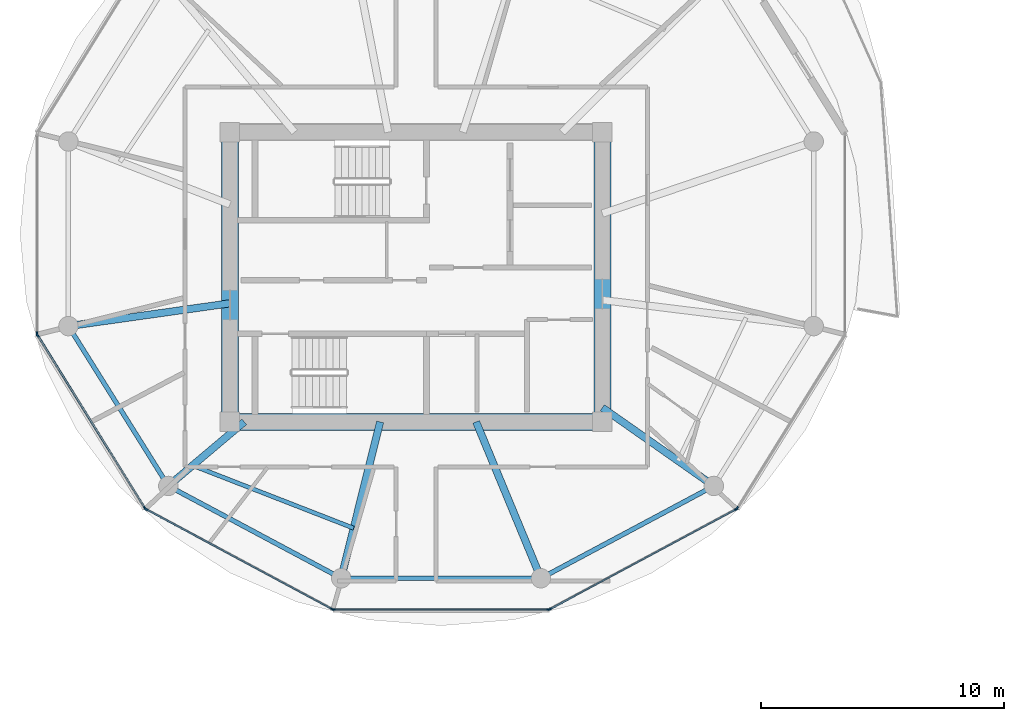
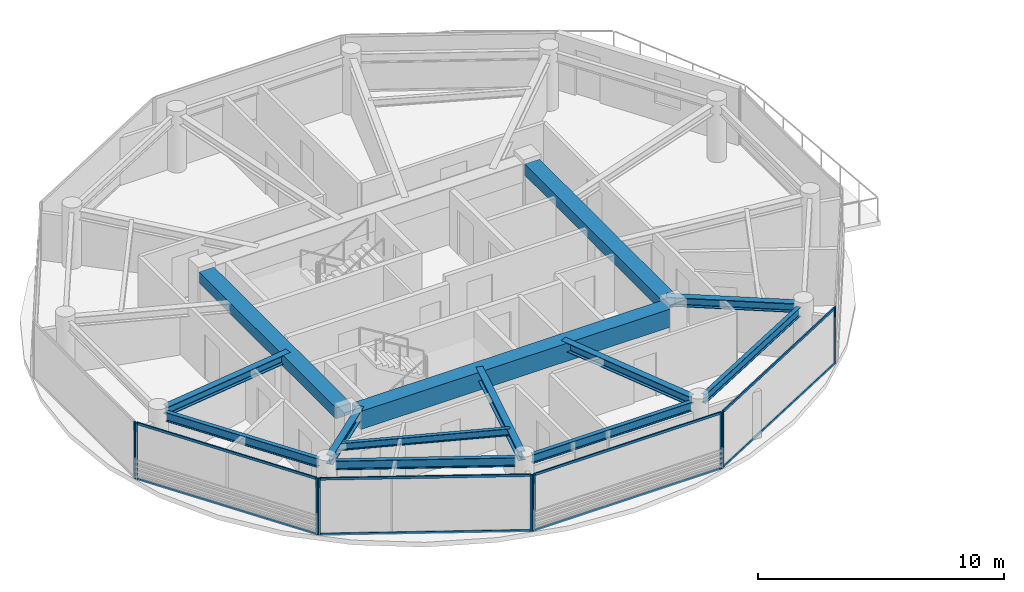
# One storey, part 2 of 22: 18 members, 13 beams, 6 elements without a shape of their own.
"""IFC4 building model written with IfcOpenShell, lengths in metres."""

from ifc_helpers import new_model, si_unit, direction, frame, origin, origin_2d, place, context, subcontext, project, spatial, rectangle, i_section, extrude, source, transform, mapped, material, layer, layer_set, material_profile, profile_set, type_object, type_shapes, element, aggregate, save


model = new_model("IFC4")

# Units and contexts
model_context = context("Model", 3, precision=1e-05, world=origin(), true_north=direction((0.0, 1.0)))
body_context = subcontext(model_context, "Body", "Model", "MODEL_VIEW")
ifc_project = project(units=[si_unit("LENGTHUNIT", "METRE"), si_unit("AREAUNIT", "SQUARE_METRE"), si_unit("VOLUMEUNIT", "CUBIC_METRE"), si_unit("PLANEANGLEUNIT", "RADIAN"), si_unit("MASSUNIT", "GRAM", prefix="KILO")], contexts=[model_context])

# Site, building, storey
site_placement = place(None, origin())
site = spatial("IfcSite", under=ifc_project, at=site_placement, CompositionType="ELEMENT")
building_placement = place(site_placement, origin())
building = spatial("IfcBuilding", under=site, at=building_placement, Name="Norrkilde Senior Care Towers", CompositionType="ELEMENT")
storey_placement = place(building_placement, frame((0.0, 0.0, 137.35009765625)))
storey = spatial("IfcBuildingStorey", under=building, at=storey_placement, Name="L42", CompositionType="ELEMENT", Elevation=137.35009765625)

# Beams
ifc_material_1 = material(Name="Concrete C60/75", Category="concrete")
ifc_material_profile_1 = material_profile(ifc_material_1, rectangle(XDim=0.699951171875, YDim=0.89990234375, at=origin_2d()), Name="RC BM 700x900")
ifc_profile_set_1 = profile_set([ifc_material_profile_1], Name="Concrete C60/75")
beam_type_1 = type_object("IfcBeamType", Name="Core Coupling Girder 700x900", PredefinedType="USERDEFINED", material=ifc_profile_set_1)
shared_shape_1 = source(origin(), body_context, "Body", "SweptSolid", [
    extrude(rectangle(XDim=0.699951171875, YDim=0.89990234375, at=origin_2d()), origin(), (0.0, 0.0, 1.0), 14.5400390625),
])
type_shapes(beam_type_1, [shared_shape_1])
beam_1_placement = place(storey_placement, frame((-35.27001953125, -5.949951171875, 2.35986328125), z_axis=(1.0, 0.0, 0.0), x_axis=(0.0, 1.0, 0.0)))
element("IfcBeam", 1, at=beam_1_placement, inside=storey, type_object=beam_type_1, Name="L42 Core W S Coupling Girder", ObjectType="GIRDER", PredefinedType="USERDEFINED", context=body_context, shape_type="MappedRepresentation", body=[
    mapped(shared_shape_1, transform((0.0, 0.0, 0.0), x_axis=(1.0, 0.0, 0.0), y_axis=(0.0, 1.0, 0.0), z_axis=(0.0, 0.0, 1.0), scale=1.0)),
])
ifc_material_profile_2 = material_profile(ifc_material_1, rectangle(XDim=0.699951171875, YDim=0.550048828125, at=origin_2d()), Name="RC BM 700x550")
ifc_profile_set_2 = profile_set([ifc_material_profile_2], Name="Concrete C60/75")
beam_type_2 = type_object("IfcBeamType", Name="Core Portal Coupling Beam 700x550", PredefinedType="USERDEFINED", material=ifc_profile_set_2)
shared_shape_2 = source(origin(), body_context, "Body", "SweptSolid", [
    extrude(rectangle(XDim=0.699951171875, YDim=0.550048828125, at=origin_2d()), origin(), (0.0, 0.0, 1.0), 11.14013671875),
])
type_shapes(beam_type_2, [shared_shape_2])
for number, where, z_axis, x_axis, name in (
    (2, (-35.64990234375, -5.570068359375, 2.534912109375), (0.0, 1.0, 0.0), (-1.0, 0.0, 0.0), "L42 Core W W Coupling Girder"),
    (3, (-20.35009765625, -5.570068359375, 2.534912109375), (0.0, 1.0, 0.0), (-1.0, 0.0, 0.0), "L42 Core W E Coupling Girder"),
):
    element("IfcBeam", number, at=place(storey_placement, frame(where, z_axis=z_axis, x_axis=x_axis)), inside=storey, type_object=beam_type_2, Name=name, ObjectType="GIRDER", PredefinedType="USERDEFINED", context=body_context, shape_type="MappedRepresentation", body=[
        mapped(shared_shape_2, transform((0.0, 0.0, 0.0), x_axis=(1.0, 0.0, 0.0), y_axis=(0.0, 1.0, 0.0), z_axis=(0.0, 0.0, 1.0), scale=1.0)),
    ])
ifc_material_2 = material(Name="Steel S355", Category="steel")
ifc_material_profile_3 = material_profile(ifc_material_2, i_section(OverallWidth=0.18994140625, OverallDepth=0.449951171875, WebThickness=0.009521484375, FlangeThickness=0.0146484375, FilletRadius=0.02099609375, at=origin_2d()), Name="IPE 450")
ifc_profile_set_3 = profile_set([ifc_material_profile_3], Name="Steel S355")
beam_type_3 = type_object("IfcBeamType", Name="Perimeter Ring Spandrel Z3 IPE450", PredefinedType="SPANDREL", material=ifc_profile_set_3)
shared_shape_3 = source(origin(), body_context, "Body", "SweptSolid", [
    extrude(i_section(OverallWidth=0.18994140625, OverallDepth=0.449951171875, WebThickness=0.009521484375, FlangeThickness=0.0146484375, FilletRadius=0.02099609375, at=origin_2d()), origin(), (0.0, 0.0, 1.0), 7.484619140625),
])
beam_2_placement = place(storey_placement, frame((-30.71728515625, -12.37548828125, 2.5849609375), z_axis=(1.0, 0.0, 0.0), x_axis=(0.0, 1.0, 0.0)))
element("IfcBeam", 4, at=beam_2_placement, inside=storey, type_object=beam_type_3, Name="L42 Drum W Perimeter Spandrel 09", PredefinedType="SPANDREL", context=body_context, shape_type="MappedRepresentation", body=[
    mapped(shared_shape_3, transform((0.0, 0.0, 0.0), x_axis=(1.0, 0.0, 0.0), y_axis=(0.0, 1.0, 0.0), z_axis=(0.0, 0.0, 1.0), scale=1.0)),
])
shared_shape_4 = source(origin(), body_context, "Body", "SweptSolid", [
    extrude(i_section(OverallWidth=0.18994140625, OverallDepth=0.449951171875, WebThickness=0.009521484375, FlangeThickness=0.0146484375, FilletRadius=0.02099609375, at=origin_2d()), origin(), (0.0, 0.0, 1.0), 7.023193359375),
])
beam_3_placement = place(storey_placement, frame((-42.09423828125, -2.32177734375, 2.5849609375), z_axis=(0.529805197269, -0.848119362441, 0.0), x_axis=(0.848119362441, 0.529805197269, 0.0)))
element("IfcBeam", 5, at=beam_3_placement, inside=storey, type_object=beam_type_3, Name="L42 Drum W Perimeter Spandrel 07", PredefinedType="SPANDREL", context=body_context, shape_type="MappedRepresentation", body=[
    mapped(shared_shape_4, transform((0.0, 0.0, 0.0), x_axis=(1.0, 0.0, 0.0), y_axis=(0.0, 1.0, 0.0), z_axis=(0.0, 0.0, 1.0), scale=1.0)),
])
ifc_material_profile_4 = material_profile(ifc_material_2, i_section(OverallWidth=0.300048828125, OverallDepth=0.449951171875, WebThickness=0.013916015625, FlangeThickness=0.02587890625, FilletRadius=0.027099609375, at=origin_2d()), Name="HEB 450")
ifc_profile_set_4 = profile_set([ifc_material_profile_4], Name="Steel S355")
beam_type_4 = type_object("IfcBeamType", Name="Radial Floor Beam Z3 HEB450", PredefinedType="BEAM", material=ifc_profile_set_4)
shared_shape_5 = source(origin(), body_context, "Body", "SweptSolid", [
    extrude(i_section(OverallWidth=0.300048828125, OverallDepth=0.449951171875, WebThickness=0.013916015625, FlangeThickness=0.02587890625, FilletRadius=0.027099609375, at=origin_2d()), origin(), (0.0, 0.0, 1.0), 6.3408203125),
])
beam_4_placement = place(storey_placement, frame((-35.64990234375, -1.079833984375, 2.5849609375), z_axis=(-0.990184519576, -0.139766294905, 0.0), x_axis=(0.139766294905, -0.990184519576, 0.0)))
element("IfcBeam", 6, at=beam_4_placement, inside=storey, type_object=beam_type_4, Name="L42 Drum W Radial Floor Beam 07", PredefinedType="BEAM", context=body_context, shape_type="MappedRepresentation", body=[
    mapped(shared_shape_5, transform((0.0, 0.0, 0.0), x_axis=(1.0, 0.0, 0.0), y_axis=(0.0, 1.0, 0.0), z_axis=(0.0, 0.0, 1.0), scale=1.0)),
])
shared_shape_6 = source(origin(), body_context, "Body", "SweptSolid", [
    extrude(i_section(OverallWidth=0.18994140625, OverallDepth=0.449951171875, WebThickness=0.009521484375, FlangeThickness=0.0146484375, FilletRadius=0.02099609375, at=origin_2d()), origin(), (0.0, 0.0, 1.0), 7.333984375),
])
type_shapes(beam_type_3, [shared_shape_3, shared_shape_4, shared_shape_6])
for number, where, z_axis, x_axis, name in (
    (7, (-37.864990234375, -8.753173828125, 2.5849609375), (0.882234038987, -0.470811109101, 0.0), (0.470811109101, 0.882234038987, 0.0), "L42 Drum W Perimeter Spandrel 08"),
    (8, (-22.55517578125, -12.2060546875, 2.5849609375), (0.882234038987, 0.470811109101, 0.0), (-0.470811109101, 0.882234038987, 0.0), "L42 Drum W Perimeter Spandrel 10"),
):
    element("IfcBeam", number, at=place(storey_placement, frame(where, z_axis=z_axis, x_axis=x_axis)), inside=storey, type_object=beam_type_3, Name=name, PredefinedType="SPANDREL", context=body_context, shape_type="MappedRepresentation", body=[
        mapped(shared_shape_6, transform((0.0, 0.0, 0.0), x_axis=(1.0, 0.0, 0.0), y_axis=(0.0, 1.0, 0.0), z_axis=(0.0, 0.0, 1.0), scale=1.0)),
    ])
shared_shape_7 = source(origin(), body_context, "Body", "SweptSolid", [
    extrude(i_section(OverallWidth=0.300048828125, OverallDepth=0.449951171875, WebThickness=0.013916015625, FlangeThickness=0.02587890625, FilletRadius=0.027099609375, at=origin_2d()), origin(), (0.0, 0.0, 1.0), 3.7265625),
])
beam_5_placement = place(storey_placement, frame((-35.058349609375, -5.949951171875, 2.5849609375), z_axis=(-0.764567902106, -0.644543189453, 0.0), x_axis=(0.644543189453, -0.764567902106, 0.0)))
element("IfcBeam", 9, at=beam_5_placement, inside=storey, type_object=beam_type_4, Name="L42 Drum W Radial Floor Beam 08", PredefinedType="BEAM", context=body_context, shape_type="MappedRepresentation", body=[
    mapped(shared_shape_7, transform((0.0, 0.0, 0.0), x_axis=(1.0, 0.0, 0.0), y_axis=(0.0, 1.0, 0.0), z_axis=(0.0, 0.0, 1.0), scale=1.0)),
])
shared_shape_8 = source(origin(), body_context, "Body", "SweptSolid", [
    extrude(i_section(OverallWidth=0.300048828125, OverallDepth=0.449951171875, WebThickness=0.013916015625, FlangeThickness=0.02587890625, FilletRadius=0.027099609375, at=origin_2d()), origin(), (0.0, 0.0, 1.0), 6.26123046875),
])
beam_6_placement = place(storey_placement, frame((-29.4794921875, -5.949951171875, 2.5849609375), z_axis=(-0.241324375921, -0.970444509277, 0.0), x_axis=(0.970444509277, -0.241324375921, 0.0)))
element("IfcBeam", 10, at=beam_6_placement, inside=storey, type_object=beam_type_4, Name="L42 Drum W Radial Floor Beam 09", PredefinedType="BEAM", context=body_context, shape_type="MappedRepresentation", body=[
    mapped(shared_shape_8, transform((0.0, 0.0, 0.0), x_axis=(1.0, 0.0, 0.0), y_axis=(0.0, 1.0, 0.0), z_axis=(0.0, 0.0, 1.0), scale=1.0)),
])
shared_shape_9 = source(origin(), body_context, "Body", "SweptSolid", [
    extrude(i_section(OverallWidth=0.300048828125, OverallDepth=0.449951171875, WebThickness=0.013916015625, FlangeThickness=0.02587890625, FilletRadius=0.027099609375, at=origin_2d()), origin(), (0.0, 0.0, 1.0), 6.59521484375),
])
beam_7_placement = place(storey_placement, frame((-25.534912109375, -5.949951171875, 2.5849609375), z_axis=(0.382761541363, -0.923847174836, 0.0), x_axis=(0.923847174836, 0.382761541363, 0.0)))
element("IfcBeam", 11, at=beam_7_placement, inside=storey, type_object=beam_type_4, Name="L42 Drum W Radial Floor Beam 10", PredefinedType="BEAM", context=body_context, shape_type="MappedRepresentation", body=[
    mapped(shared_shape_9, transform((0.0, 0.0, 0.0), x_axis=(1.0, 0.0, 0.0), y_axis=(0.0, 1.0, 0.0), z_axis=(0.0, 0.0, 1.0), scale=1.0)),
])
shared_shape_10 = source(origin(), body_context, "Body", "SweptSolid", [
    extrude(i_section(OverallWidth=0.300048828125, OverallDepth=0.449951171875, WebThickness=0.013916015625, FlangeThickness=0.02587890625, FilletRadius=0.027099609375, at=origin_2d()), origin(), (0.0, 0.0, 1.0), 5.23828125),
])
type_shapes(beam_type_4, [shared_shape_5, shared_shape_7, shared_shape_8, shared_shape_9, shared_shape_10])
beam_8_placement = place(storey_placement, frame((-20.35009765625, -5.3681640625, 2.5849609375), z_axis=(0.818592061291, -0.574375345215, 0.0), x_axis=(0.574375345215, 0.818592061291, 0.0)))
element("IfcBeam", 12, at=beam_8_placement, inside=storey, type_object=beam_type_4, Name="L42 Drum W Radial Floor Beam 11", PredefinedType="BEAM", context=body_context, shape_type="MappedRepresentation", body=[
    mapped(shared_shape_10, transform((0.0, 0.0, 0.0), x_axis=(1.0, 0.0, 0.0), y_axis=(0.0, 1.0, 0.0), z_axis=(0.0, 0.0, 1.0), scale=1.0)),
])
ifc_material_profile_5 = material_profile(ifc_material_2, i_section(OverallWidth=0.169921875, OverallDepth=0.360107421875, WebThickness=0.008056640625, FlangeThickness=0.0126953125, FilletRadius=0.01806640625, at=origin_2d()), Name="IPE 360")
ifc_profile_set_5 = profile_set([ifc_material_profile_5], Name="Steel S355")
beam_type_5 = type_object("IfcBeamType", Name="Secondary Floor Joist IPE360", PredefinedType="JOIST", material=ifc_profile_set_5)
shared_shape_11 = source(origin(), body_context, "Body", "SweptSolid", [
    extrude(i_section(OverallWidth=0.169921875, OverallDepth=0.360107421875, WebThickness=0.008056640625, FlangeThickness=0.0126953125, FilletRadius=0.01806640625, at=origin_2d()), origin(), (0.0, 0.0, 1.0), 7.1015625),
])
type_shapes(beam_type_5, [shared_shape_11])
beam_9_placement = place(storey_placement, frame((-37.182861328125, -7.740966796875, 2.6298828125), z_axis=(0.931761231292, -0.363071629106, 0.0), x_axis=(0.363071629106, 0.931761231292, 0.0)))
element("IfcBeam", 13, at=beam_9_placement, inside=storey, type_object=beam_type_5, Name="L42 Drum W Secondary Floor Joist 3", PredefinedType="JOIST", context=body_context, shape_type="MappedRepresentation", body=[
    mapped(shared_shape_11, transform((0.0, 0.0, 0.0), x_axis=(1.0, 0.0, 0.0), y_axis=(0.0, 1.0, 0.0), z_axis=(0.0, 0.0, 1.0), scale=1.0)),
])

# Curtain wall, members
ifc_material_3 = material(Name="Triple Low-E Insulated Glazing", Category="glass")
ifc_layer = layer(ifc_material_3, 0.18994140625)
ifc_layer_set = layer_set([ifc_layer], Name="Triple Low-E Insulated Glazing")
curtain_wall_type = type_object("IfcCurtainWallType", Name="CW4 Zone 3 Senior Residence Curtain Wall", PredefinedType="NOTDEFINED", material=ifc_layer_set)
curtain_wall_1_placement = place(storey_placement, origin())
curtain_wall_1 = element("IfcCurtainWall", 14, at=curtain_wall_1_placement, inside=storey, type_object=curtain_wall_type, Name="L42 Drum W Curtain Wall 06", PredefinedType="NOTDEFINED")
ifc_material_4 = material(Name="Anodised Aluminium", Category="aluminium")
ifc_material_profile_6 = material_profile(ifc_material_4, rectangle(XDim=0.06005859375, YDim=0.1201171875, at=origin_2d()), Name="ALU TRAN 60x120")
ifc_profile_set_6 = profile_set([ifc_material_profile_6], Name="Anodised Aluminium")
member_type_1 = type_object("IfcMemberType", Name="Curtain Wall Transom Typical 60x120", PredefinedType="USERDEFINED", material=ifc_profile_set_6)
shared_shape_12 = source(origin(), body_context, "Body", "SweptSolid", [
    extrude(rectangle(XDim=0.06005859375, YDim=0.1201171875, at=origin_2d()), origin(), (0.0, 0.0, 1.0), 8.301513671875),
])
member_1_placement = place(storey_placement, frame((-39.157470703125, -9.468994140625, 0.02978515625), z_axis=(-0.527368718394, 0.849636531029, 0.0), x_axis=(-0.849636531029, -0.527368718394, 0.0)))
member_1 = element("IfcMember", 15, at=member_1_placement, type_object=member_type_1, Name="CW-4 transom 1.1", ObjectType="TRANSOM", PredefinedType="USERDEFINED", context=body_context, shape_type="MappedRepresentation", body=[
    mapped(shared_shape_12, transform((0.0, 0.0, 0.0), x_axis=(1.0, 0.0, 0.0), y_axis=(0.0, 1.0, 0.0), z_axis=(0.0, 0.0, 1.0), scale=1.0)),
])
member_2_placement = place(storey_placement, frame((-39.157470703125, -9.468994140625, 2.77978515625), z_axis=(-0.527368718394, 0.849636531029, 0.0), x_axis=(-0.849636531029, -0.527368718394, 0.0)))
member_2 = element("IfcMember", 16, at=member_2_placement, type_object=member_type_1, Name="CW-4 transom 1.2", ObjectType="TRANSOM", PredefinedType="USERDEFINED", context=body_context, shape_type="MappedRepresentation", body=[
    mapped(shared_shape_12, transform((0.0, 0.0, 0.0), x_axis=(1.0, 0.0, 0.0), y_axis=(0.0, 1.0, 0.0), z_axis=(0.0, 0.0, 1.0), scale=1.0)),
])

curtain_wall_2_placement = place(storey_placement, origin())
curtain_wall_2 = element("IfcCurtainWall", 17, at=curtain_wall_2_placement, inside=storey, type_object=curtain_wall_type, Name="L42 Drum W Curtain Wall 09", PredefinedType="NOTDEFINED")
shared_shape_13 = source(origin(), body_context, "Body", "SweptSolid", [
    extrude(rectangle(XDim=0.06005859375, YDim=0.1201171875, at=origin_2d()), origin(), (0.0, 0.0, 1.0), 8.61181640625),
])
member_3_placement = place(storey_placement, frame((-14.88427734375, -9.554931640625, 0.02978515625), z_axis=(-0.880993991641, -0.473127452906, 0.0), x_axis=(0.473127452906, -0.880993991641, 0.0)))
member_3 = element("IfcMember", 18, at=member_3_placement, type_object=member_type_1, Name="CW-4 transom 1.1", ObjectType="TRANSOM", PredefinedType="USERDEFINED", context=body_context, shape_type="MappedRepresentation", body=[
    mapped(shared_shape_13, transform((0.0, 0.0, 0.0), x_axis=(1.0, 0.0, 0.0), y_axis=(0.0, 1.0, 0.0), z_axis=(0.0, 0.0, 1.0), scale=1.0)),
])
member_4_placement = place(storey_placement, frame((-14.88427734375, -9.554931640625, 2.77978515625), z_axis=(-0.880993991641, -0.473127452906, 0.0), x_axis=(0.473127452906, -0.880993991641, 0.0)))
member_4 = element("IfcMember", 19, at=member_4_placement, type_object=member_type_1, Name="CW-4 transom 1.2", ObjectType="TRANSOM", PredefinedType="USERDEFINED", context=body_context, shape_type="MappedRepresentation", body=[
    mapped(shared_shape_13, transform((0.0, 0.0, 0.0), x_axis=(1.0, 0.0, 0.0), y_axis=(0.0, 1.0, 0.0), z_axis=(0.0, 0.0, 1.0), scale=1.0)),
])

curtain_wall_3_placement = place(storey_placement, origin())
curtain_wall_3 = element("IfcCurtainWall", 20, at=curtain_wall_3_placement, inside=storey, type_object=curtain_wall_type, Name="L42 Drum W Curtain Wall 08", PredefinedType="NOTDEFINED")
shared_shape_14 = source(origin(), body_context, "Body", "SweptSolid", [
    extrude(rectangle(XDim=0.06005859375, YDim=0.1201171875, at=origin_2d()), origin(), (0.0, 0.0, 1.0), 8.762939453125),
])
member_5_placement = place(storey_placement, frame((-22.593505859375, -13.66015625, 0.02978515625), z_axis=(-1.0, 0.0, 0.0), x_axis=(0.0, -1.0, 0.0)))
member_5 = element("IfcMember", 21, at=member_5_placement, type_object=member_type_1, Name="CW-4 transom 1.1", ObjectType="TRANSOM", PredefinedType="USERDEFINED", context=body_context, shape_type="MappedRepresentation", body=[
    mapped(shared_shape_14, transform((0.0, 0.0, 0.0), x_axis=(1.0, 0.0, 0.0), y_axis=(0.0, 1.0, 0.0), z_axis=(0.0, 0.0, 1.0), scale=1.0)),
])
member_6_placement = place(storey_placement, frame((-22.593505859375, -13.66015625, 2.77978515625), z_axis=(-1.0, 0.0, 0.0), x_axis=(0.0, -1.0, 0.0)))
member_6 = element("IfcMember", 22, at=member_6_placement, type_object=member_type_1, Name="CW-4 transom 1.2", ObjectType="TRANSOM", PredefinedType="USERDEFINED", context=body_context, shape_type="MappedRepresentation", body=[
    mapped(shared_shape_14, transform((0.0, 0.0, 0.0), x_axis=(1.0, 0.0, 0.0), y_axis=(0.0, 1.0, 0.0), z_axis=(0.0, 0.0, 1.0), scale=1.0)),
])

curtain_wall_4_placement = place(storey_placement, origin())
curtain_wall_4 = element("IfcCurtainWall", 23, at=curtain_wall_4_placement, inside=storey, type_object=curtain_wall_type, Name="L42 Drum W Curtain Wall 07", PredefinedType="NOTDEFINED")
shared_shape_15 = source(origin(), body_context, "Body", "SweptSolid", [
    extrude(rectangle(XDim=0.06005859375, YDim=0.1201171875, at=origin_2d()), origin(), (0.0, 0.0, 1.0), 8.612060546875),
])
type_shapes(member_type_1, [shared_shape_12, shared_shape_13, shared_shape_14, shared_shape_15])
member_7_placement = place(storey_placement, frame((-31.478759765625, -13.62939453125, 0.02978515625), z_axis=(-0.881000337462, 0.473115636384, 0.0), x_axis=(-0.473115636384, -0.881000337462, 0.0)))
member_7 = element("IfcMember", 24, at=member_7_placement, type_object=member_type_1, Name="CW-4 transom 1.1", ObjectType="TRANSOM", PredefinedType="USERDEFINED", context=body_context, shape_type="MappedRepresentation", body=[
    mapped(shared_shape_15, transform((0.0, 0.0, 0.0), x_axis=(1.0, 0.0, 0.0), y_axis=(0.0, 1.0, 0.0), z_axis=(0.0, 0.0, 1.0), scale=1.0)),
])
member_8_placement = place(storey_placement, frame((-31.478759765625, -13.62939453125, 2.77978515625), z_axis=(-0.881000337462, 0.473115636384, 0.0), x_axis=(-0.473115636384, -0.881000337462, 0.0)))
member_8 = element("IfcMember", 25, at=member_8_placement, type_object=member_type_1, Name="CW-4 transom 1.2", ObjectType="TRANSOM", PredefinedType="USERDEFINED", context=body_context, shape_type="MappedRepresentation", body=[
    mapped(shared_shape_15, transform((0.0, 0.0, 0.0), x_axis=(1.0, 0.0, 0.0), y_axis=(0.0, 1.0, 0.0), z_axis=(0.0, 0.0, 1.0), scale=1.0)),
])

# Curtain wall, member
curtain_wall_5_placement = place(storey_placement, origin())
curtain_wall_5 = element("IfcCurtainWall", 26, at=curtain_wall_5_placement, inside=storey, type_object=curtain_wall_type, Name="L42 Drum W Curtain Wall 05", PredefinedType="NOTDEFINED")
ifc_material_profile_7 = material_profile(ifc_material_4, rectangle(XDim=0.06494140625, YDim=0.14990234375, at=origin_2d()), Name="ALU MULL 65x150")
ifc_profile_set_7 = profile_set([ifc_material_profile_7], Name="Anodised Aluminium")
member_type_2 = type_object("IfcMemberType", Name="Curtain Wall Mullion Z3-Z4 65x150", PredefinedType="MULLION", material=ifc_profile_set_7)
shared_shape_16 = source(origin(), body_context, "Body", "SweptSolid", [
    extrude(rectangle(XDim=0.06494140625, YDim=0.14990234375, at=origin_2d()), origin(), (0.0, 0.0, 1.0), 2.809814453125),
])
type_shapes(member_type_2, [shared_shape_16])
member_9_placement = place(storey_placement, frame((-43.569580078125, -2.328125, 0.0), z_axis=(0.0, 0.0, 1.0), x_axis=(-1.0, 0.0, 0.0)))
member_9 = element("IfcMember", 27, at=member_9_placement, type_object=member_type_2, Name="CW-4 mullion 1", PredefinedType="MULLION", context=body_context, shape_type="MappedRepresentation", body=[
    mapped(shared_shape_16, transform((0.0, 0.0, 0.0), x_axis=(1.0, 0.0, 0.0), y_axis=(0.0, 1.0, 0.0), z_axis=(0.0, 0.0, 1.0), scale=1.0)),
])
aggregate(curtain_wall_5, [member_9])

# Member
member_10_placement = place(storey_placement, frame((-39.14013671875, -9.49658203125, 0.0), z_axis=(0.0, 0.0, 1.0), x_axis=(-0.84963405474, -0.52737270789, 0.0)))
member_10 = element("IfcMember", 28, at=member_10_placement, type_object=member_type_2, Name="CW-4 mullion 1", PredefinedType="MULLION", context=body_context, shape_type="MappedRepresentation", body=[
    mapped(shared_shape_16, transform((0.0, 0.0, 0.0), x_axis=(1.0, 0.0, 0.0), y_axis=(0.0, 1.0, 0.0), z_axis=(0.0, 0.0, 1.0), scale=1.0)),
])

member_11_placement = place(storey_placement, frame((-43.552490234375, -2.38818359375, 0.0), z_axis=(0.0, 0.0, 1.0), x_axis=(-0.84963405474, -0.52737270789, 0.0)))
member_11 = element("IfcMember", 29, at=member_11_placement, type_object=member_type_2, Name="CW-4 mullion 2", PredefinedType="MULLION", context=body_context, shape_type="MappedRepresentation", body=[
    mapped(shared_shape_16, transform((0.0, 0.0, 0.0), x_axis=(1.0, 0.0, 0.0), y_axis=(0.0, 1.0, 0.0), z_axis=(0.0, 0.0, 1.0), scale=1.0)),
])

aggregate(curtain_wall_1, [member_10, member_11, member_1, member_2])

member_12_placement = place(storey_placement, frame((-31.4501953125, -13.644775390625, 0.0), z_axis=(0.0, 0.0, 1.0), x_axis=(-0.47311715104, -0.880999524059, 0.0)))
member_12 = element("IfcMember", 30, at=member_12_placement, type_object=member_type_2, Name="CW-4 mullion 1", PredefinedType="MULLION", context=body_context, shape_type="MappedRepresentation", body=[
    mapped(shared_shape_16, transform((0.0, 0.0, 0.0), x_axis=(1.0, 0.0, 0.0), y_axis=(0.0, 1.0, 0.0), z_axis=(0.0, 0.0, 1.0), scale=1.0)),
])

member_13_placement = place(storey_placement, frame((-39.094482421875, -9.53955078125, 0.0), z_axis=(0.0, 0.0, 1.0), x_axis=(-0.47311715104, -0.880999524059, 0.0)))
member_13 = element("IfcMember", 31, at=member_13_placement, type_object=member_type_2, Name="CW-4 mullion 2", PredefinedType="MULLION", context=body_context, shape_type="MappedRepresentation", body=[
    mapped(shared_shape_16, transform((0.0, 0.0, 0.0), x_axis=(1.0, 0.0, 0.0), y_axis=(0.0, 1.0, 0.0), z_axis=(0.0, 0.0, 1.0), scale=1.0)),
])

aggregate(curtain_wall_4, [member_12, member_13, member_7, member_8])

member_14_placement = place(storey_placement, frame((-22.56103515625, -13.66015625, 0.0), z_axis=(0.0, 0.0, 1.0), x_axis=(0.0, -1.0, 0.0)))
member_14 = element("IfcMember", 32, at=member_14_placement, type_object=member_type_2, Name="CW-4 mullion 1", PredefinedType="MULLION", context=body_context, shape_type="MappedRepresentation", body=[
    mapped(shared_shape_16, transform((0.0, 0.0, 0.0), x_axis=(1.0, 0.0, 0.0), y_axis=(0.0, 1.0, 0.0), z_axis=(0.0, 0.0, 1.0), scale=1.0)),
])

member_15_placement = place(storey_placement, frame((-31.388916015625, -13.66015625, 0.0), z_axis=(0.0, 0.0, 1.0), x_axis=(0.0, -1.0, 0.0)))
member_15 = element("IfcMember", 33, at=member_15_placement, type_object=member_type_2, Name="CW-4 mullion 2", PredefinedType="MULLION", context=body_context, shape_type="MappedRepresentation", body=[
    mapped(shared_shape_16, transform((0.0, 0.0, 0.0), x_axis=(1.0, 0.0, 0.0), y_axis=(0.0, 1.0, 0.0), z_axis=(0.0, 0.0, 1.0), scale=1.0)),
])

aggregate(curtain_wall_3, [member_14, member_15, member_5, member_6])

member_16_placement = place(storey_placement, frame((-14.85546875, -9.53955078125, 0.0), z_axis=(0.0, 0.0, 1.0), x_axis=(0.47311715104, -0.880999524059, 0.0)))
member_16 = element("IfcMember", 34, at=member_16_placement, type_object=member_type_2, Name="CW-4 mullion 1", PredefinedType="MULLION", context=body_context, shape_type="MappedRepresentation", body=[
    mapped(shared_shape_16, transform((0.0, 0.0, 0.0), x_axis=(1.0, 0.0, 0.0), y_axis=(0.0, 1.0, 0.0), z_axis=(0.0, 0.0, 1.0), scale=1.0)),
])

member_17_placement = place(storey_placement, frame((-22.499755859375, -13.644775390625, 0.0), z_axis=(0.0, 0.0, 1.0), x_axis=(0.47311715104, -0.880999524059, 0.0)))
member_17 = element("IfcMember", 35, at=member_17_placement, type_object=member_type_2, Name="CW-4 mullion 2", PredefinedType="MULLION", context=body_context, shape_type="MappedRepresentation", body=[
    mapped(shared_shape_16, transform((0.0, 0.0, 0.0), x_axis=(1.0, 0.0, 0.0), y_axis=(0.0, 1.0, 0.0), z_axis=(0.0, 0.0, 1.0), scale=1.0)),
])

aggregate(curtain_wall_2, [member_16, member_17, member_3, member_4])

# Curtain wall, member
curtain_wall_6_placement = place(storey_placement, origin())
curtain_wall_6 = element("IfcCurtainWall", 36, at=curtain_wall_6_placement, inside=storey, type_object=curtain_wall_type, Name="L42 Drum W Curtain Wall 10", PredefinedType="NOTDEFINED")
member_18_placement = place(storey_placement, frame((-14.809814453125, -9.49658203125, 0.0), z_axis=(0.0, 0.0, 1.0), x_axis=(0.84963405474, -0.52737270789, 0.0)))
member_18 = element("IfcMember", 37, at=member_18_placement, type_object=member_type_2, Name="CW-4 mullion 2", PredefinedType="MULLION", context=body_context, shape_type="MappedRepresentation", body=[
    mapped(shared_shape_16, transform((0.0, 0.0, 0.0), x_axis=(1.0, 0.0, 0.0), y_axis=(0.0, 1.0, 0.0), z_axis=(0.0, 0.0, 1.0), scale=1.0)),
])
aggregate(curtain_wall_6, [member_18])

save(model, "model.ifc")
